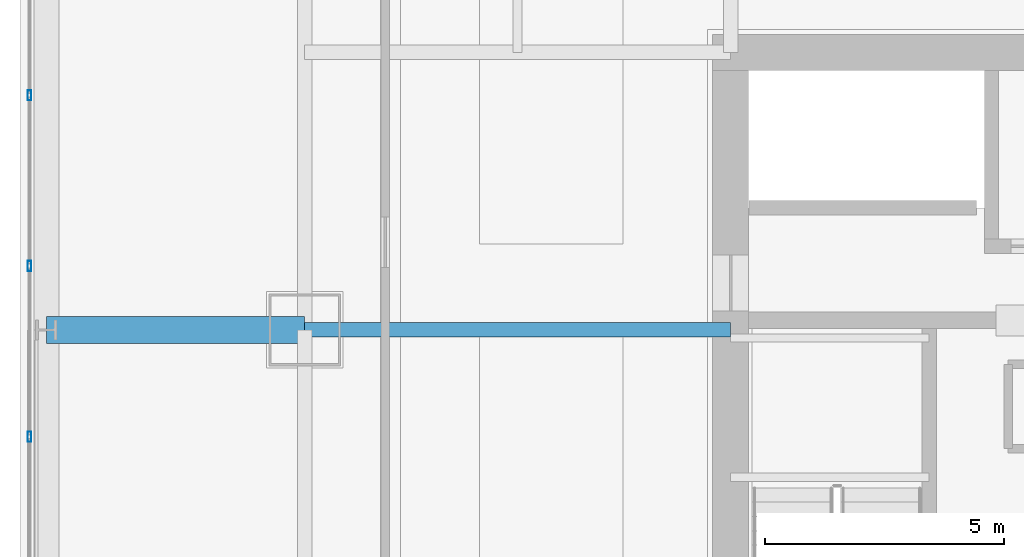
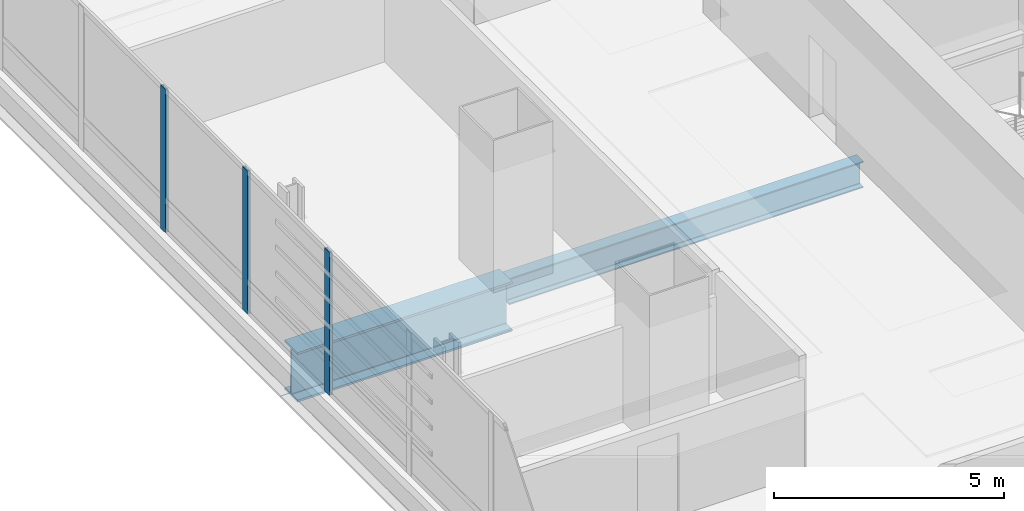
# One storey, part 11 of 36: 3 members, 2 beams, 1 element without a shape of its own.
"""IFC4 building model written with IfcOpenShell, lengths in metres."""

from ifc_helpers import new_model, si_unit, direction, frame, origin, origin_2d, place, context, subcontext, project, spatial, hollow_rectangle, i_section, extrude, material, material_profile, profile_set, type_object, element, aggregate, save


model = new_model("IFC4")

# Units and contexts
model_context = context("Model", 3, precision=1e-05, world=origin(), true_north=direction((0.0, 1.0)))
body_context = subcontext(model_context, "Body", "Model", "MODEL_VIEW")
ifc_project = project(units=[si_unit("LENGTHUNIT", "METRE"), si_unit("AREAUNIT", "SQUARE_METRE"), si_unit("VOLUMEUNIT", "CUBIC_METRE"), si_unit("PLANEANGLEUNIT", "RADIAN"), si_unit("MASSUNIT", "GRAM", prefix="KILO")], contexts=[model_context])

# Site, building, storey
site_placement = place(None, origin())
site = spatial("IfcSite", under=ifc_project, at=site_placement, CompositionType="ELEMENT")
building_placement = place(site_placement, origin())
building = spatial("IfcBuilding", under=site, at=building_placement, Name="Punatoya Terracotta Tower", CompositionType="ELEMENT")
storey_placement = place(building_placement, frame((0.0, 0.0, 40.35009765625)))
storey = spatial("IfcBuildingStorey", under=building, at=storey_placement, Name="L08", CompositionType="ELEMENT", Elevation=40.35009765625)

# Beams
ifc_material_1 = material(Name="Steel S355", Category="steel")
ifc_material_profile_1 = material_profile(ifc_material_1, i_section(OverallWidth=0.300048828125, OverallDepth=0.699951171875, WebThickness=0.01708984375, FlangeThickness=0.031982421875, FilletRadius=0.01806640625, at=origin_2d()))
ifc_profile_set_1 = profile_set([ifc_material_profile_1], Name="Steel S355")
beam_type_1 = type_object("IfcBeamType", Name="BM-PRI-700", PredefinedType="BEAM", material=ifc_profile_set_1)
beam_1_placement = place(storey_placement, frame((-19.10009765625, 3.39990234375, -0.590087890625), z_axis=(1.0, 0.0, 0.0), x_axis=(0.0, 1.0, 0.0)))
element("IfcBeam", 1, at=beam_1_placement, inside=storey, type_object=beam_type_1, Name="BM-L08-PR-WE", PredefinedType="BEAM", context=body_context, shape_type="SweptSolid", body=[
    extrude(i_section(OverallWidth=0.300048828125, OverallDepth=0.699951171875, WebThickness=0.01708984375, FlangeThickness=0.031982421875, FilletRadius=0.01806640625, at=origin_2d()), origin(), (0.0, 0.0, 1.0), 8.900146484375),
])
ifc_material_2 = material(Name="Steel S460", Category="steel")
ifc_material_profile_2 = material_profile(ifc_material_2, i_section(OverallWidth=0.56005859375, OverallDepth=1.320068359375, WebThickness=0.035888671875, FlangeThickness=0.054931640625, FilletRadius=0.01806640625, at=origin_2d()))
ifc_profile_set_2 = profile_set([ifc_material_profile_2], Name="Steel S460")
beam_type_2 = type_object("IfcBeamType", Name="BM-TG-BLK", PredefinedType="BEAM", material=ifc_profile_set_2)
beam_2_placement = place(storey_placement, frame((-24.5, 3.39990234375, -0.900146484375), z_axis=(1.0, 0.0, 0.0), x_axis=(0.0, 1.0, 0.0)))
element("IfcBeam", 2, at=beam_2_placement, inside=storey, type_object=beam_type_2, Name="BM-L08-CANT-W3", PredefinedType="BEAM", context=body_context, shape_type="SweptSolid", body=[
    extrude(i_section(OverallWidth=0.56005859375, OverallDepth=1.320068359375, WebThickness=0.035888671875, FlangeThickness=0.054931640625, FilletRadius=0.01806640625, at=origin_2d()), origin(), (0.0, 0.0, 1.0), 5.39990234375),
])

# Curtain wall, members
ifc_material_3 = material(Name="Aluminium 6063-T6 + Double Low-E Glass", Category="aluminium")
curtain_wall_type = type_object("IfcCurtainWallType", Name="CW-M1", PredefinedType="NOTDEFINED", material=ifc_material_3)
curtain_wall_placement = place(storey_placement, origin())
curtain_wall = element("IfcCurtainWall", 3, at=curtain_wall_placement, inside=storey, type_object=curtain_wall_type, Name="L08 Curtain Wall CW-L08-W13-1", PredefinedType="NOTDEFINED")
ifc_material_4 = material(Name="Aluminium 6063-T6", Category="aluminium")
ifc_material_profile_3 = material_profile(ifc_material_4, hollow_rectangle(XDim=0.074951171875, YDim=0.2099609375, WallThickness=0.00439453125, at=origin_2d()))
ifc_profile_set_3 = profile_set([ifc_material_profile_3], Name="Aluminium 6063-T6")
member_type = type_object("IfcMemberType", Name="CW-MUL-M1", PredefinedType="MULLION", material=ifc_profile_set_3)
member_1_placement = place(storey_placement, frame((-24.85009765625, 8.302001953125, 0.0), z_axis=(0.0, 0.0, 1.0), x_axis=(1.0, 0.0, 0.0)))
member_1 = element("IfcMember", 4, at=member_1_placement, type_object=member_type, Name="CW-L08-W13-1 Mullion 02", PredefinedType="MULLION", context=body_context, shape_type="SweptSolid", body=[
    extrude(hollow_rectangle(XDim=0.074951171875, YDim=0.2099609375, WallThickness=0.00439453125, at=origin_2d()), origin(), (0.0, 0.0, 1.0), 3.809814453125),
])
member_2_placement = place(storey_placement, frame((-24.85009765625, 4.73486328125, 0.0), z_axis=(0.0, 0.0, 1.0), x_axis=(1.0, 0.0, 0.0)))
member_2 = element("IfcMember", 5, at=member_2_placement, type_object=member_type, Name="CW-L08-W13-1 Mullion 03", PredefinedType="MULLION", context=body_context, shape_type="SweptSolid", body=[
    extrude(hollow_rectangle(XDim=0.074951171875, YDim=0.2099609375, WallThickness=0.00439453125, at=origin_2d()), origin(), (0.0, 0.0, 1.0), 3.809814453125),
])
member_3_placement = place(storey_placement, frame((-24.85009765625, 1.16748046875, 0.0), z_axis=(0.0, 0.0, 1.0), x_axis=(1.0, 0.0, 0.0)))
member_3 = element("IfcMember", 6, at=member_3_placement, type_object=member_type, Name="CW-L08-W13-1 Mullion 04", PredefinedType="MULLION", context=body_context, shape_type="SweptSolid", body=[
    extrude(hollow_rectangle(XDim=0.074951171875, YDim=0.2099609375, WallThickness=0.00439453125, at=origin_2d()), origin(), (0.0, 0.0, 1.0), 3.809814453125),
])
aggregate(curtain_wall, [member_1, member_2, member_3])

save(model, "model.ifc")
